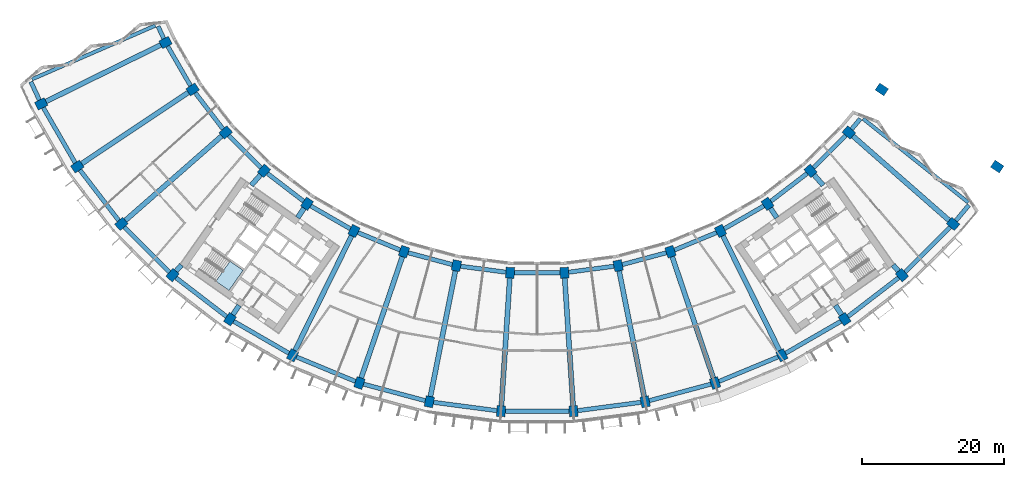
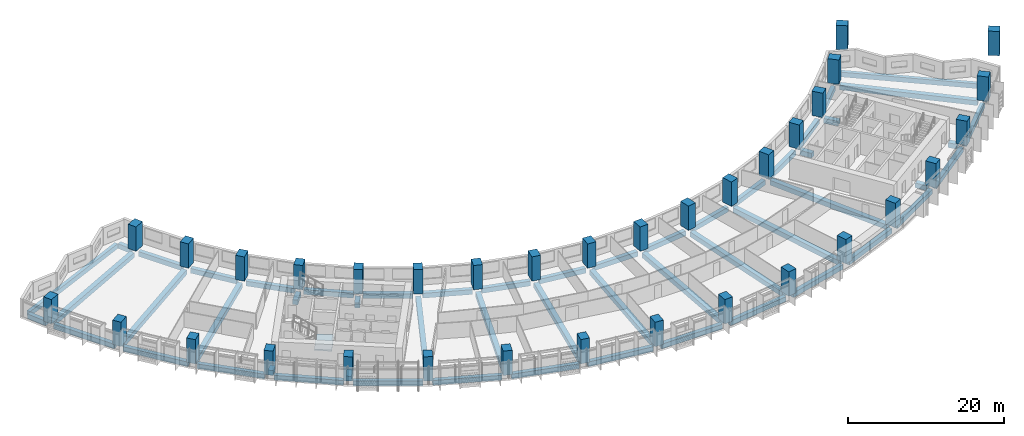
# One storey, part 1 of 28: 56 beams, 34 columns, 1 slab, 1 element without a shape of its own.
"""IFC4 building model written with IfcOpenShell, lengths in metres."""

from ifc_helpers import new_model, si_unit, direction, frame, origin, origin_2d, place, context, subcontext, project, spatial, polyline, rectangle, outline, extrude, material, layer, layer_set, material_profile, profile_set, type_object, element, aggregate, save


model = new_model("IFC4")

# Units and contexts
model_context = context("Model", 3, precision=1e-05, world=origin(), true_north=direction((0.0, 1.0)))
body_context = subcontext(model_context, "Body", "Model", "MODEL_VIEW")
ifc_project = project(units=[si_unit("LENGTHUNIT", "METRE"), si_unit("AREAUNIT", "SQUARE_METRE"), si_unit("VOLUMEUNIT", "CUBIC_METRE"), si_unit("PLANEANGLEUNIT", "RADIAN"), si_unit("MASSUNIT", "GRAM", prefix="KILO")], contexts=[model_context])

# Site, building, storey
site_placement = place(None, origin())
site = spatial("IfcSite", under=ifc_project, at=site_placement, CompositionType="ELEMENT")
building_placement = place(site_placement, origin())
building = spatial("IfcBuilding", under=site, at=building_placement, Name="Qamariyya Broadcast Tower", CompositionType="ELEMENT")
storey_placement = place(building_placement, frame((0.0, 0.0, 140.5)))
storey = spatial("IfcBuildingStorey", under=building, at=storey_placement, Name="L32", CompositionType="ELEMENT", Elevation=140.5)

# Columns
ifc_material_1 = material(Name="Concrete C70/85", Category="concrete")
ifc_material_profile_1 = material_profile(ifc_material_1, rectangle(XDim=1.199951171875, YDim=1.5, at=origin_2d()))
ifc_profile_set_1 = profile_set([ifc_material_profile_1], Name="Concrete C70/85")
column_type = type_object("IfcColumnType", Name="RC column 1200 x 1500 C70/85", PredefinedType="COLUMN", material=ifc_profile_set_1)
for number, where, z_axis, x_axis, name in (
    (1, (-52.242919921875, -25.763427734375, 0.0), (0.0, 0.0, 1.0), (0.442288690219, -0.896872741533, 0.0), "Column C7 L32 B-R02"),
    (2, (-69.73193359375, -34.387939453125, 0.0), (0.0, 0.0, 1.0), (0.442288690219, -0.896872741533, 0.0), "Column C7 L32 C-R02"),
    (3, (-48.43310546875, -32.362060546875, 0.0), (0.0, 0.0, 1.0), (0.55557023302, -0.831469612303, 0.0), "Column C7 L32 B-R03"),
    (4, (-64.646728515625, -43.195556640625, 0.0), (0.0, 0.0, 1.0), (0.55557023302, -0.831469612303, 0.0), "Column C7 L32 C-R03"),
    (5, (-43.794677734375, -38.406982421875, 0.0), (0.0, 0.0, 1.0), (0.6593458151, -0.751839807479, 0.0), "Column C7 L32 B-R04"),
    (6, (-58.45556640625, -51.26416015625, 0.0), (0.0, 0.0, 1.0), (0.6593458151, -0.751839807479, 0.0), "Column C7 L32 C-R04"),
    (7, (-38.406982421875, -43.794677734375, 0.0), (0.0, 0.0, 1.0), (0.751839807479, -0.6593458151, 0.0), "Column C7 L32 B-R05"),
    (8, (-51.26416015625, -58.45556640625, 0.0), (0.0, 0.0, 1.0), (0.751839807479, -0.6593458151, 0.0), "Column C7 L32 C-R05"),
    (9, (-32.362060546875, -48.43310546875, 0.0), (0.0, 0.0, 1.0), (0.831469612303, -0.55557023302, 0.0), "Column C7 L32 B-R06"),
    (10, (-43.195556640625, -64.646728515625, 0.0), (0.0, 0.0, 1.0), (0.831469612303, -0.55557023302, 0.0), "Column C7 L32 C-R06"),
    (11, (-25.763427734375, -52.242919921875, 0.0), (0.0, 0.0, 1.0), (0.896872741533, -0.442288690219, 0.0), "Column C7 L32 B-R07"),
    (12, (-34.387939453125, -69.73193359375, 0.0), (0.0, 0.0, 1.0), (0.896872741533, -0.442288690219, 0.0), "Column C7 L32 C-R07"),
    (13, (-18.723876953125, -55.15869140625, 0.0), (0.0, 0.0, 1.0), (0.946930129495, -0.321439465303, 0.0), "Column C7 L32 B-R08"),
    (14, (-24.991943359375, -73.623779296875, 0.0), (0.0, 0.0, 1.0), (0.946930129495, -0.321439465303, 0.0), "Column C7 L32 C-R08"),
    (15, (-11.364013671875, -57.130859375, 0.0), (0.0, 0.0, 1.0), (0.980785280403, -0.195090322016, 0.0), "Column C7 L32 B-R09"),
    (16, (-15.168212890625, -76.256103515625, 0.0), (0.0, 0.0, 1.0), (0.980785280403, -0.195090322016, 0.0), "Column C7 L32 C-R09"),
    (17, (-3.809814453125, -58.125244140625, 0.0), (0.0, 0.0, 1.0), (0.997858923239, -0.06540312923, 0.0), "Column C7 L32 B-R10"),
    (18, (-5.085205078125, -77.58349609375, 0.0), (0.0, 0.0, 1.0), (0.997858923239, -0.06540312923, 0.0), "Column C7 L32 C-R10"),
    (19, (3.809814453125, -58.125244140625, 0.0), (0.0, 0.0, 1.0), (0.997858923239, 0.06540312923, 0.0), "Column C7 L32 B-R11"),
    (20, (5.085205078125, -77.58349609375, 0.0), (0.0, 0.0, 1.0), (0.997858923239, 0.06540312923, 0.0), "Column C7 L32 C-R11"),
    (21, (11.364013671875, -57.130859375, 0.0), (0.0, 0.0, 1.0), (0.980785280403, 0.195090322016, 0.0), "Column C7 L32 B-R12"),
    (22, (15.168212890625, -76.256103515625, 0.0), (0.0, 0.0, 1.0), (0.980785280403, 0.195090322016, 0.0), "Column C7 L32 C-R12"),
    (23, (18.723876953125, -55.15869140625, 0.0), (0.0, 0.0, 1.0), (0.946930129495, 0.321439465303, 0.0), "Column C7 L32 B-R13"),
    (24, (24.991943359375, -73.623779296875, 0.0), (0.0, 0.0, 1.0), (0.946930129495, 0.321439465303, 0.0), "Column C7 L32 C-R13"),
    (25, (25.763427734375, -52.242919921875, 0.0), (0.0, 0.0, 1.0), (0.896872741533, 0.442288690219, 0.0), "Column C7 L32 B-R14"),
    (26, (34.387939453125, -69.73193359375, 0.0), (0.0, 0.0, 1.0), (0.896872741533, 0.442288690219, 0.0), "Column C7 L32 C-R14"),
    (27, (32.362060546875, -48.43310546875, 0.0), (0.0, 0.0, 1.0), (0.831469612303, 0.55557023302, 0.0), "Column C7 L32 B-R15"),
    (28, (43.195556640625, -64.646728515625, 0.0), (0.0, 0.0, 1.0), (0.831469612303, 0.55557023302, 0.0), "Column C7 L32 C-R15"),
    (29, (38.406982421875, -43.794677734375, 0.0), (0.0, 0.0, 1.0), (0.751839807479, 0.6593458151, 0.0), "Column C7 L32 B-R16"),
    (30, (51.26416015625, -58.45556640625, 0.0), (0.0, 0.0, 1.0), (0.751839807479, 0.6593458151, 0.0), "Column C7 L32 C-R16"),
    (31, (43.794677734375, -38.406982421875, 0.0), (0.0, 0.0, 1.0), (0.6593458151, 0.751839807479, 0.0), "Column C7 L32 B-R17"),
    (32, (58.45556640625, -51.26416015625, 0.0), (0.0, 0.0, 1.0), (0.6593458151, 0.751839807479, 0.0), "Column C7 L32 C-R17"),
    (33, (48.43310546875, -32.362060546875, 0.0), (0.0, 0.0, 1.0), (0.55557023302, 0.831469612303, 0.0), "Column C7 L32 B-R18"),
    (34, (64.646728515625, -43.195556640625, 0.0), (0.0, 0.0, 1.0), (0.55557023302, 0.831469612303, 0.0), "Column C7 L32 C-R18"),
):
    element("IfcColumn", number, at=place(storey_placement, frame(where, z_axis=z_axis, x_axis=x_axis)), inside=storey, type_object=column_type, Name=name, PredefinedType="COLUMN", context=body_context, shape_type="SweptSolid", body=[
        extrude(rectangle(XDim=1.199951171875, YDim=1.5, at=origin_2d()), origin(), (0.0, 0.0, 1.0), 3.800048828125),
    ])

# Beams
ifc_material_2 = material(Name="Concrete C50/60", Category="concrete")
ifc_material_profile_2 = material_profile(ifc_material_2, rectangle(XDim=0.60009765625, YDim=0.75, at=origin_2d()))
ifc_profile_set_2 = profile_set([ifc_material_profile_2], Name="Concrete C50/60")
beam_type_1 = type_object("IfcBeamType", Name="RC edge beam 600 x 750 C50/60", PredefinedType="SPANDREL", material=ifc_profile_set_2)
for number, where, z_axis, x_axis, name in (
    (35, (-51.942138671875, -26.283935546875, -0.675048828125), (0.49999360328, -0.866029096901, 0.0), (0.866029096901, 0.49999360328, 0.0), "Edge beam B15 L32 B R02-R03"),
    (36, (-48.067138671875, -32.839111328125, -0.675048828125), (0.608778135192, -0.793340520906, 0.0), (0.793340520906, 0.608778135192, 0.0), "Edge beam B15 L32 B R03-R04"),
):
    element("IfcBeam", number, at=place(storey_placement, frame(where, z_axis=z_axis, x_axis=x_axis)), inside=storey, type_object=beam_type_1, Name=name, PredefinedType="SPANDREL", context=body_context, shape_type="SweptSolid", body=[
        extrude(rectangle(XDim=0.60009765625, YDim=0.75, at=origin_2d()), origin(), (0.0, 0.0, 1.0), 6.4169921875),
    ])
beam_1_placement = place(storey_placement, frame((-43.369384765625, -38.83203125, -0.675048828125), z_axis=(0.707106781187, -0.707106781187, 0.0), x_axis=(0.707106781187, 0.707106781187, 0.0)))
element("IfcBeam", 37, at=beam_1_placement, inside=storey, type_object=beam_type_1, Name="Edge beam B15 L32 B R04-R05", PredefinedType="SPANDREL", context=body_context, shape_type="SweptSolid", body=[
    extrude(rectangle(XDim=0.60009765625, YDim=0.75, at=origin_2d()), origin(), (0.0, 0.0, 1.0), 6.416748046875),
])
for number, where, z_axis, x_axis, name in (
    (38, (-37.929931640625, -44.16064453125, -0.675048828125), (0.793340520906, -0.608778135192, 0.0), (0.608778135192, 0.793340520906, 0.0), "Edge beam B15 L32 B R05-R06"),
    (39, (-31.84130859375, -48.733642578125, -0.675048828125), (0.866029096901, -0.49999360328, 0.0), (0.49999360328, 0.866029096901, 0.0), "Edge beam B15 L32 B R06-R07"),
    (40, (-25.207763671875, -52.472900390625, -0.675048828125), (0.923884212686, -0.382672133229, 0.0), (0.382672133229, 0.923884212686, 0.0), "Edge beam B15 L32 B R07-R08"),
    (41, (-18.14306640625, -55.314208984375, -0.675048828125), (0.965922916603, -0.258829903956, 0.0), (0.258829903956, 0.965922916603, 0.0), "Edge beam B15 L32 B R08-R09"),
    (42, (-10.767822265625, -57.209228515625, -0.675048828125), (0.991443543958, -0.1305361986, 0.0), (0.1305361986, 0.991443543958, 0.0), "Edge beam B15 L32 B R09-R10"),
    (43, (-3.20849609375, -58.125244140625, -0.675048828125), (1.0, 0.0, 0.0), (0.0, 1.0, 0.0), "Edge beam B15 L32 B R10-R11"),
    (44, (4.40576171875, -58.046875, -0.675048828125), (0.991443543958, 0.1305361986, 0.0), (-0.1305361986, 0.991443543958, 0.0), "Edge beam B15 L32 B R11-R12"),
    (45, (11.94482421875, -56.97509765625, -0.675048828125), (0.965922916603, 0.258829903956, 0.0), (-0.258829903956, 0.965922916603, 0.0), "Edge beam B15 L32 B R12-R13"),
    (46, (19.279296875, -54.928466796875, -0.675048828125), (0.923884212686, 0.382672133229, 0.0), (-0.382672133229, 0.923884212686, 0.0), "Edge beam B15 L32 B R13-R14"),
    (47, (26.283935546875, -51.942138671875, -0.675048828125), (0.866029096901, 0.49999360328, 0.0), (-0.49999360328, 0.866029096901, 0.0), "Edge beam B15 L32 B R14-R15"),
    (48, (32.839111328125, -48.067138671875, -0.675048828125), (0.793340520906, 0.608778135192, 0.0), (-0.608778135192, 0.793340520906, 0.0), "Edge beam B15 L32 B R15-R16"),
):
    element("IfcBeam", number, at=place(storey_placement, frame(where, z_axis=z_axis, x_axis=x_axis)), inside=storey, type_object=beam_type_1, Name=name, PredefinedType="SPANDREL", context=body_context, shape_type="SweptSolid", body=[
        extrude(rectangle(XDim=0.60009765625, YDim=0.75, at=origin_2d()), origin(), (0.0, 0.0, 1.0), 6.4169921875),
    ])
beam_2_placement = place(storey_placement, frame((38.83203125, -43.369384765625, -0.675048828125), z_axis=(0.707106781187, 0.707106781187, 0.0), x_axis=(-0.707106781187, 0.707106781187, 0.0)))
element("IfcBeam", 49, at=beam_2_placement, inside=storey, type_object=beam_type_1, Name="Edge beam B15 L32 B R16-R17", PredefinedType="SPANDREL", context=body_context, shape_type="SweptSolid", body=[
    extrude(rectangle(XDim=0.60009765625, YDim=0.75, at=origin_2d()), origin(), (0.0, 0.0, 1.0), 6.416748046875),
])
beam_3_placement = place(storey_placement, frame((-69.43115234375, -34.90869140625, -0.675048828125), z_axis=(0.499989544228, -0.866031440343, 0.0), x_axis=(0.866031440343, 0.499989544228, 0.0)))
element("IfcBeam", 50, at=beam_3_placement, inside=storey, type_object=beam_type_1, Name="Edge beam B15 L32 C R02-R03", PredefinedType="SPANDREL", context=body_context, shape_type="SweptSolid", body=[
    extrude(rectangle(XDim=0.60009765625, YDim=0.75, at=origin_2d()), origin(), (0.0, 0.0, 1.0), 8.967529296875),
])
beam_4_placement = place(storey_placement, frame((-64.28076171875, -43.672607421875, -0.675048828125), z_axis=(0.608766985019, -0.793349076984, 0.0), x_axis=(0.793349076984, 0.608766985019, 0.0)))
element("IfcBeam", 51, at=beam_4_placement, inside=storey, type_object=beam_type_1, Name="Edge beam B15 L32 C R03-R04", PredefinedType="SPANDREL", context=body_context, shape_type="SweptSolid", body=[
    extrude(rectangle(XDim=0.60009765625, YDim=0.75, at=origin_2d()), origin(), (0.0, 0.0, 1.0), 8.9677734375),
])
beam_5_placement = place(storey_placement, frame((-58.0302734375, -51.689208984375, -0.675048828125), z_axis=(0.707106781187, -0.707106781187, 0.0), x_axis=(0.707106781187, 0.707106781187, 0.0)))
element("IfcBeam", 52, at=beam_5_placement, inside=storey, type_object=beam_type_1, Name="Edge beam B15 L32 C R04-R05", PredefinedType="SPANDREL", context=body_context, shape_type="SweptSolid", body=[
    extrude(rectangle(XDim=0.60009765625, YDim=0.75, at=origin_2d()), origin(), (0.0, 0.0, 1.0), 8.967529296875),
])
beam_6_placement = place(storey_placement, frame((-50.787109375, -58.821533203125, -0.675048828125), z_axis=(0.793349076984, -0.608766985019, 0.0), x_axis=(0.608766985019, 0.793349076984, 0.0)))
element("IfcBeam", 53, at=beam_6_placement, inside=storey, type_object=beam_type_1, Name="Edge beam B15 L32 C R05-R06", PredefinedType="SPANDREL", context=body_context, shape_type="SweptSolid", body=[
    extrude(rectangle(XDim=0.60009765625, YDim=0.75, at=origin_2d()), origin(), (0.0, 0.0, 1.0), 8.9677734375),
])
beam_7_placement = place(storey_placement, frame((-42.6748046875, -64.947509765625, -0.675048828125), z_axis=(0.866031440343, -0.499989544228, 0.0), x_axis=(0.499989544228, 0.866031440343, 0.0)))
element("IfcBeam", 54, at=beam_7_placement, inside=storey, type_object=beam_type_1, Name="Edge beam B15 L32 C R06-R07", PredefinedType="SPANDREL", context=body_context, shape_type="SweptSolid", body=[
    extrude(rectangle(XDim=0.60009765625, YDim=0.75, at=origin_2d()), origin(), (0.0, 0.0, 1.0), 8.967529296875),
])
beam_8_placement = place(storey_placement, frame((-33.83251953125, -69.9619140625, -0.675048828125), z_axis=(0.923877140182, -0.382689207907, 0.0), x_axis=(0.382689207907, 0.923877140182, 0.0)))
element("IfcBeam", 55, at=beam_8_placement, inside=storey, type_object=beam_type_1, Name="Edge beam B15 L32 C R07-R08", PredefinedType="SPANDREL", context=body_context, shape_type="SweptSolid", body=[
    extrude(rectangle(XDim=0.60009765625, YDim=0.75, at=origin_2d()), origin(), (0.0, 0.0, 1.0), 8.9677734375),
])
for number, where, z_axis, x_axis, name in (
    (56, (-24.4111328125, -73.779541015625, -0.675048828125), (0.965931525183, -0.258797775603, 0.0), (0.258797775603, 0.965931525183, 0.0), "Edge beam B15 L32 C R08-R09"),
    (57, (-14.572021484375, -76.33447265625, -0.675048828125), (0.991442708618, -0.130542542983, 0.0), (0.130542542983, 0.991442708618, 0.0), "Edge beam B15 L32 C R09-R10"),
):
    element("IfcBeam", number, at=place(storey_placement, frame(where, z_axis=z_axis, x_axis=x_axis)), inside=storey, type_object=beam_type_1, Name=name, PredefinedType="SPANDREL", context=body_context, shape_type="SweptSolid", body=[
        extrude(rectangle(XDim=0.60009765625, YDim=0.75, at=origin_2d()), origin(), (0.0, 0.0, 1.0), 8.967529296875),
    ])
beam_9_placement = place(storey_placement, frame((-4.48388671875, -77.58349609375, -0.675048828125), z_axis=(1.0, 0.0, 0.0), x_axis=(0.0, 1.0, 0.0)))
element("IfcBeam", 58, at=beam_9_placement, inside=storey, type_object=beam_type_1, Name="Edge beam B15 L32 C R10-R11", PredefinedType="SPANDREL", context=body_context, shape_type="SweptSolid", body=[
    extrude(rectangle(XDim=0.60009765625, YDim=0.75, at=origin_2d()), origin(), (0.0, 0.0, 1.0), 8.9677734375),
])
for number, where, z_axis, x_axis, name in (
    (59, (5.68115234375, -77.505126953125, -0.675048828125), (0.991442708618, 0.130542542983, 0.0), (-0.130542542983, 0.991442708618, 0.0), "Edge beam B15 L32 C R11-R12"),
    (60, (15.7490234375, -76.100341796875, -0.675048828125), (0.965931525183, 0.258797775603, 0.0), (-0.258797775603, 0.965931525183, 0.0), "Edge beam B15 L32 C R12-R13"),
):
    element("IfcBeam", number, at=place(storey_placement, frame(where, z_axis=z_axis, x_axis=x_axis)), inside=storey, type_object=beam_type_1, Name=name, PredefinedType="SPANDREL", context=body_context, shape_type="SweptSolid", body=[
        extrude(rectangle(XDim=0.60009765625, YDim=0.75, at=origin_2d()), origin(), (0.0, 0.0, 1.0), 8.967529296875),
    ])
beam_10_placement = place(storey_placement, frame((25.54736328125, -73.393798828125, -0.675048828125), z_axis=(0.923877140182, 0.382689207907, 0.0), x_axis=(-0.382689207907, 0.923877140182, 0.0)))
element("IfcBeam", 61, at=beam_10_placement, inside=storey, type_object=beam_type_1, Name="Edge beam B15 L32 C R13-R14", PredefinedType="SPANDREL", context=body_context, shape_type="SweptSolid", body=[
    extrude(rectangle(XDim=0.60009765625, YDim=0.75, at=origin_2d()), origin(), (0.0, 0.0, 1.0), 8.9677734375),
])
beam_11_placement = place(storey_placement, frame((34.90869140625, -69.43115234375, -0.675048828125), z_axis=(0.866031440343, 0.499989544228, 0.0), x_axis=(-0.499989544228, 0.866031440343, 0.0)))
element("IfcBeam", 62, at=beam_11_placement, inside=storey, type_object=beam_type_1, Name="Edge beam B15 L32 C R14-R15", PredefinedType="SPANDREL", context=body_context, shape_type="SweptSolid", body=[
    extrude(rectangle(XDim=0.60009765625, YDim=0.75, at=origin_2d()), origin(), (0.0, 0.0, 1.0), 8.967529296875),
])
beam_12_placement = place(storey_placement, frame((43.672607421875, -64.28076171875, -0.675048828125), z_axis=(0.793349076984, 0.608766985019, 0.0), x_axis=(-0.608766985019, 0.793349076984, 0.0)))
element("IfcBeam", 63, at=beam_12_placement, inside=storey, type_object=beam_type_1, Name="Edge beam B15 L32 C R15-R16", PredefinedType="SPANDREL", context=body_context, shape_type="SweptSolid", body=[
    extrude(rectangle(XDim=0.60009765625, YDim=0.75, at=origin_2d()), origin(), (0.0, 0.0, 1.0), 8.9677734375),
])
beam_13_placement = place(storey_placement, frame((51.689208984375, -58.0302734375, -0.675048828125), z_axis=(0.707106781187, 0.707106781187, 0.0), x_axis=(-0.707106781187, 0.707106781187, 0.0)))
element("IfcBeam", 64, at=beam_13_placement, inside=storey, type_object=beam_type_1, Name="Edge beam B15 L32 C R16-R17", PredefinedType="SPANDREL", context=body_context, shape_type="SweptSolid", body=[
    extrude(rectangle(XDim=0.60009765625, YDim=0.75, at=origin_2d()), origin(), (0.0, 0.0, 1.0), 8.967529296875),
])
ifc_material_profile_3 = material_profile(ifc_material_2, rectangle(XDim=0.60009765625, YDim=0.75, at=origin_2d()))
ifc_profile_set_3 = profile_set([ifc_material_profile_3], Name="Concrete C50/60")
beam_type_2 = type_object("IfcBeamType", Name="RC horn beam 600 x 750 C50/60", PredefinedType="BEAM", material=ifc_profile_set_3)
beam_14_placement = place(storey_placement, frame((-52.495361328125, -25.218994140625, -0.675048828125), z_axis=(-0.42096870394, 0.907075162433, 0.0), x_axis=(-0.907075162433, -0.42096870394, 0.0)))
element("IfcBeam", 65, at=beam_14_placement, inside=storey, type_object=beam_type_2, Name="Horn beam B14 L32 W B-R02", PredefinedType="BEAM", context=body_context, shape_type="SweptSolid", body=[
    extrude(rectangle(XDim=0.60009765625, YDim=0.75, at=origin_2d()), origin(), (0.0, 0.0, 1.0), 1.91162109375),
])
beam_15_placement = place(storey_placement, frame((-69.984375, -33.843505859375, -0.675048828125), z_axis=(-0.420957015308, 0.907080586973, 0.0), x_axis=(-0.907080586973, -0.420957015308, 0.0)))
element("IfcBeam", 66, at=beam_15_placement, inside=storey, type_object=beam_type_2, Name="Horn beam B14 L32 W C-R02", PredefinedType="BEAM", context=body_context, shape_type="SweptSolid", body=[
    extrude(rectangle(XDim=0.60009765625, YDim=0.75, at=origin_2d()), origin(), (0.0, 0.0, 1.0), 2.8359375),
])
beam_16_placement = place(storey_placement, frame((44.1796875, -37.9462890625, -0.675048828125), z_axis=(0.641326969369, 0.767267696674, 0.0), x_axis=(-0.767267696674, 0.641326969369, 0.0)))
element("IfcBeam", 67, at=beam_16_placement, inside=storey, type_object=beam_type_2, Name="Horn beam B14 L32 E B-R17", PredefinedType="BEAM", context=body_context, shape_type="SweptSolid", body=[
    extrude(rectangle(XDim=0.60009765625, YDim=0.75, at=origin_2d()), origin(), (0.0, 0.0, 1.0), 1.911376953125),
])
beam_17_placement = place(storey_placement, frame((58.840576171875, -50.8037109375, -0.675048828125), z_axis=(0.641276093409, 0.767310218896, 0.0), x_axis=(-0.767310218896, 0.641276093409, 0.0)))
element("IfcBeam", 68, at=beam_17_placement, inside=storey, type_object=beam_type_2, Name="Horn beam B14 L32 E C-R17", PredefinedType="BEAM", context=body_context, shape_type="SweptSolid", body=[
    extrude(rectangle(XDim=0.60009765625, YDim=0.75, at=origin_2d()), origin(), (0.0, 0.0, 1.0), 2.8359375),
])
ifc_material_profile_4 = material_profile(ifc_material_2, rectangle(XDim=0.5, YDim=0.75, at=origin_2d()))
ifc_profile_set_4 = profile_set([ifc_material_profile_4], Name="Concrete C50/60")
beam_type_3 = type_object("IfcBeamType", Name="RC horn cap beam 500 x 750 C50/60", PredefinedType="BEAM", material=ifc_profile_set_4)
beam_18_placement = place(storey_placement, frame((-53.68017578125, -23.3779296875, -0.675048828125), z_axis=(-0.916824883929, -0.399289534309, 0.0), x_axis=(0.399289534309, -0.916824883929, 0.0)))
element("IfcBeam", 69, at=beam_18_placement, inside=storey, type_object=beam_type_3, Name="Horn cap beam B17 L32 W B-C", PredefinedType="BEAM", context=body_context, shape_type="SweptSolid", body=[
    extrude(rectangle(XDim=0.5, YDim=0.75, at=origin_2d()), origin(), (0.0, 0.0, 1.0), 18.900146484375),
])
beam_19_placement = place(storey_placement, frame((45.800537109375, -36.474853515625, -0.675048828125), z_axis=(0.782244356527, -0.622971722216, 0.0), x_axis=(0.622971722216, 0.782244356527, 0.0)))
element("IfcBeam", 70, at=beam_19_placement, inside=storey, type_object=beam_type_3, Name="Horn cap beam B17 L32 E B-C", PredefinedType="BEAM", context=body_context, shape_type="SweptSolid", body=[
    extrude(rectangle(XDim=0.5, YDim=0.75, at=origin_2d()), origin(), (0.0, 0.0, 1.0), 18.89990234375),
])
ifc_material_profile_5 = material_profile(ifc_material_2, rectangle(XDim=0.699951171875, YDim=0.75, at=origin_2d()))
ifc_profile_set_5 = profile_set([ifc_material_profile_5], Name="Concrete C50/60")
beam_type_4 = type_object("IfcBeamType", Name="RC radial beam 700 x 750 C50/60", PredefinedType="BEAM", material=ifc_profile_set_5)
beam_20_placement = place(storey_placement, frame((-52.91552734375, -26.094970703125, -0.675048828125), z_axis=(-0.896871386501, -0.442291437941, 0.0), x_axis=(0.442291437941, -0.896871386501, 0.0)))
element("IfcBeam", 71, at=beam_20_placement, inside=storey, type_object=beam_type_4, Name="Radial beam B13 L32 R02 B-C", PredefinedType="BEAM", context=body_context, shape_type="SweptSolid", body=[
    extrude(rectangle(XDim=0.699951171875, YDim=0.75, at=origin_2d()), origin(), (0.0, 0.0, 1.0), 17.999755859375),
])
beam_21_placement = place(storey_placement, frame((-49.056640625, -32.778564453125, -0.675048828125), z_axis=(-0.831471836778, -0.555566903843, 0.0), x_axis=(0.555566903843, -0.831471836778, 0.0)))
element("IfcBeam", 72, at=beam_21_placement, inside=storey, type_object=beam_type_4, Name="Radial beam B13 L32 R03 B-C", PredefinedType="BEAM", context=body_context, shape_type="SweptSolid", body=[
    extrude(rectangle(XDim=0.699951171875, YDim=0.75, at=origin_2d()), origin(), (0.0, 0.0, 1.0), 18.0),
])
beam_22_placement = place(storey_placement, frame((-44.358642578125, -38.9013671875, -0.675048828125), z_axis=(-0.751837671483, -0.659348250729, 0.0), x_axis=(0.659348250729, -0.751837671483, 0.0)))
element("IfcBeam", 73, at=beam_22_placement, inside=storey, type_object=beam_type_4, Name="Radial beam B13 L32 R04 B-C", PredefinedType="BEAM", context=body_context, shape_type="SweptSolid", body=[
    extrude(rectangle(XDim=0.699951171875, YDim=0.75, at=origin_2d()), origin(), (0.0, 0.0, 1.0), 17.999755859375),
])
beam_23_placement = place(storey_placement, frame((-38.9013671875, -44.358642578125, -0.675048828125), z_axis=(-0.659376140982, -0.751813211312, 0.0), x_axis=(0.751813211312, -0.659376140982, 0.0)))
element("IfcBeam", 74, at=beam_23_placement, inside=storey, type_object=beam_type_4, Name="Radial beam B13 L32 R05 B-C", PredefinedType="BEAM", context=body_context, shape_type="SweptSolid", body=[
    extrude(rectangle(XDim=0.699951171875, YDim=0.75, at=origin_2d()), origin(), (0.0, 0.0, 1.0), 1.96240234375),
])
beam_24_placement = place(storey_placement, frame((-50.011962890625, -57.027587890625, -0.675048828125), z_axis=(-0.659271387296, -0.751905072395, 0.0), x_axis=(0.751905072395, -0.659271387296, 0.0)))
element("IfcBeam", 75, at=beam_24_placement, inside=storey, type_object=beam_type_4, Name="Radial beam B13 L32 R05 B-C", PredefinedType="BEAM", context=body_context, shape_type="SweptSolid", body=[
    extrude(rectangle(XDim=0.699951171875, YDim=0.75, at=origin_2d()), origin(), (0.0, 0.0, 1.0), 1.149169921875),
])
beam_25_placement = place(storey_placement, frame((-32.778564453125, -49.056640625, -0.675048828125), z_axis=(-0.555537373717, -0.831491567248, 0.0), x_axis=(0.831491567248, -0.555537373717, 0.0)))
element("IfcBeam", 76, at=beam_25_placement, inside=storey, type_object=beam_type_4, Name="Radial beam B13 L32 R06 B-C", PredefinedType="BEAM", context=body_context, shape_type="SweptSolid", body=[
    extrude(rectangle(XDim=0.699951171875, YDim=0.75, at=origin_2d()), origin(), (0.0, 0.0, 1.0), 1.614501953125),
])
beam_26_placement = place(storey_placement, frame((-41.89990234375, -62.707763671875, -0.675048828125), z_axis=(-0.555554602959, -0.831480055762, 0.0), x_axis=(0.831480055762, -0.555554602959, 0.0)))
element("IfcBeam", 77, at=beam_26_placement, inside=storey, type_object=beam_type_4, Name="Radial beam B13 L32 R06 B-C", PredefinedType="BEAM", context=body_context, shape_type="SweptSolid", body=[
    extrude(rectangle(XDim=0.699951171875, YDim=0.75, at=origin_2d()), origin(), (0.0, 0.0, 1.0), 1.58203125),
])
beam_27_placement = place(storey_placement, frame((-26.094970703125, -52.91552734375, -0.675048828125), z_axis=(-0.442291437941, -0.896871386501, 0.0), x_axis=(0.896871386501, -0.442291437941, 0.0)))
element("IfcBeam", 78, at=beam_27_placement, inside=storey, type_object=beam_type_4, Name="Radial beam B13 L32 R07 B-C", PredefinedType="BEAM", context=body_context, shape_type="SweptSolid", body=[
    extrude(rectangle(XDim=0.699951171875, YDim=0.75, at=origin_2d()), origin(), (0.0, 0.0, 1.0), 17.999755859375),
])
beam_28_placement = place(storey_placement, frame((-18.96484375, -55.868896484375, -0.675048828125), z_axis=(-0.321439476461, -0.946930125707, 0.0), x_axis=(0.946930125707, -0.321439476461, 0.0)))
element("IfcBeam", 79, at=beam_28_placement, inside=storey, type_object=beam_type_4, Name="Radial beam B13 L32 R08 B-C", PredefinedType="BEAM", context=body_context, shape_type="SweptSolid", body=[
    extrude(rectangle(XDim=0.699951171875, YDim=0.75, at=origin_2d()), origin(), (0.0, 0.0, 1.0), 18.0),
])
beam_29_placement = place(storey_placement, frame((-11.51025390625, -57.8662109375, -0.675048828125), z_axis=(-0.195093569287, -0.980784634475, 0.0), x_axis=(0.980784634475, -0.195093569287, 0.0)))
element("IfcBeam", 80, at=beam_29_placement, inside=storey, type_object=beam_type_4, Name="Radial beam B13 L32 R09 B-C", PredefinedType="BEAM", context=body_context, shape_type="SweptSolid", body=[
    extrude(rectangle(XDim=0.699951171875, YDim=0.75, at=origin_2d()), origin(), (0.0, 0.0, 1.0), 18.000244140625),
])
for number, where, z_axis, x_axis, name in (
    (81, (-3.85888671875, -58.873779296875, -0.675048828125), (-0.065402689504, -0.99785895206, 0.0), (0.99785895206, -0.065402689504, 0.0), "Radial beam B13 L32 R10 B-C"),
    (82, (3.85888671875, -58.873779296875, -0.675048828125), (0.065402689504, -0.99785895206, 0.0), (0.99785895206, 0.065402689504, 0.0), "Radial beam B13 L32 R11 B-C"),
):
    element("IfcBeam", number, at=place(storey_placement, frame(where, z_axis=z_axis, x_axis=x_axis)), inside=storey, type_object=beam_type_4, Name=name, PredefinedType="BEAM", context=body_context, shape_type="SweptSolid", body=[
        extrude(rectangle(XDim=0.699951171875, YDim=0.75, at=origin_2d()), origin(), (0.0, 0.0, 1.0), 18.0),
    ])
beam_30_placement = place(storey_placement, frame((11.51025390625, -57.8662109375, -0.675048828125), z_axis=(0.195093569287, -0.980784634475, 0.0), x_axis=(0.980784634475, 0.195093569287, 0.0)))
element("IfcBeam", 83, at=beam_30_placement, inside=storey, type_object=beam_type_4, Name="Radial beam B13 L32 R12 B-C", PredefinedType="BEAM", context=body_context, shape_type="SweptSolid", body=[
    extrude(rectangle(XDim=0.699951171875, YDim=0.75, at=origin_2d()), origin(), (0.0, 0.0, 1.0), 18.000244140625),
])
beam_31_placement = place(storey_placement, frame((18.96484375, -55.868896484375, -0.675048828125), z_axis=(0.321439476461, -0.946930125707, 0.0), x_axis=(0.946930125707, 0.321439476461, 0.0)))
element("IfcBeam", 84, at=beam_31_placement, inside=storey, type_object=beam_type_4, Name="Radial beam B13 L32 R13 B-C", PredefinedType="BEAM", context=body_context, shape_type="SweptSolid", body=[
    extrude(rectangle(XDim=0.699951171875, YDim=0.75, at=origin_2d()), origin(), (0.0, 0.0, 1.0), 18.0),
])
beam_32_placement = place(storey_placement, frame((26.094970703125, -52.91552734375, -0.675048828125), z_axis=(0.442291437941, -0.896871386501, 0.0), x_axis=(0.896871386501, 0.442291437941, 0.0)))
element("IfcBeam", 85, at=beam_32_placement, inside=storey, type_object=beam_type_4, Name="Radial beam B13 L32 R14 B-C", PredefinedType="BEAM", context=body_context, shape_type="SweptSolid", body=[
    extrude(rectangle(XDim=0.699951171875, YDim=0.75, at=origin_2d()), origin(), (0.0, 0.0, 1.0), 17.999755859375),
])
beam_33_placement = place(storey_placement, frame((32.778564453125, -49.056640625, -0.675048828125), z_axis=(0.555537373717, -0.831491567248, 0.0), x_axis=(0.831491567248, 0.555537373717, 0.0)))
element("IfcBeam", 86, at=beam_33_placement, inside=storey, type_object=beam_type_4, Name="Radial beam B13 L32 R15 B-C", PredefinedType="BEAM", context=body_context, shape_type="SweptSolid", body=[
    extrude(rectangle(XDim=0.699951171875, YDim=0.75, at=origin_2d()), origin(), (0.0, 0.0, 1.0), 1.614501953125),
])
beam_34_placement = place(storey_placement, frame((41.89990234375, -62.707763671875, -0.675048828125), z_axis=(0.555554602959, -0.831480055762, 0.0), x_axis=(0.831480055762, 0.555554602959, 0.0)))
element("IfcBeam", 87, at=beam_34_placement, inside=storey, type_object=beam_type_4, Name="Radial beam B13 L32 R15 B-C", PredefinedType="BEAM", context=body_context, shape_type="SweptSolid", body=[
    extrude(rectangle(XDim=0.699951171875, YDim=0.75, at=origin_2d()), origin(), (0.0, 0.0, 1.0), 1.58203125),
])
beam_35_placement = place(storey_placement, frame((38.9013671875, -44.358642578125, -0.675048828125), z_axis=(0.659376140982, -0.751813211312, 0.0), x_axis=(0.751813211312, 0.659376140982, 0.0)))
element("IfcBeam", 88, at=beam_35_placement, inside=storey, type_object=beam_type_4, Name="Radial beam B13 L32 R16 B-C", PredefinedType="BEAM", context=body_context, shape_type="SweptSolid", body=[
    extrude(rectangle(XDim=0.699951171875, YDim=0.75, at=origin_2d()), origin(), (0.0, 0.0, 1.0), 1.96240234375),
])
beam_36_placement = place(storey_placement, frame((50.011962890625, -57.027587890625, -0.675048828125), z_axis=(0.659271387296, -0.751905072395, 0.0), x_axis=(0.751905072395, 0.659271387296, 0.0)))
element("IfcBeam", 89, at=beam_36_placement, inside=storey, type_object=beam_type_4, Name="Radial beam B13 L32 R16 B-C", PredefinedType="BEAM", context=body_context, shape_type="SweptSolid", body=[
    extrude(rectangle(XDim=0.699951171875, YDim=0.75, at=origin_2d()), origin(), (0.0, 0.0, 1.0), 1.149169921875),
])
beam_37_placement = place(storey_placement, frame((44.358642578125, -38.9013671875, -0.675048828125), z_axis=(0.751837671483, -0.659348250729, 0.0), x_axis=(0.659348250729, 0.751837671483, 0.0)))
element("IfcBeam", 90, at=beam_37_placement, inside=storey, type_object=beam_type_4, Name="Radial beam B13 L32 R17 B-C", PredefinedType="BEAM", context=body_context, shape_type="SweptSolid", body=[
    extrude(rectangle(XDim=0.699951171875, YDim=0.75, at=origin_2d()), origin(), (0.0, 0.0, 1.0), 17.999755859375),
])

# Stair, slab
stair_type = type_object("IfcStairType", Name="Exit stair 22 risers of 173 mm", PredefinedType="HALF_TURN_STAIR", material=ifc_material_2)
stair_placement = place(storey_placement, origin())
stair = element("IfcStair", 91, at=stair_placement, inside=storey, type_object=stair_type, Name="L32 Stair W1", PredefinedType="HALF_TURN_STAIR")
ifc_layer = layer(ifc_material_2, 0.199951171875)
ifc_layer_set = layer_set([ifc_layer], Name="Stair landing")
slab_type = type_object("IfcSlabType", Name="Stair landing", PredefinedType="LANDING", material=ifc_layer_set)
slab_placement = place(storey_placement, frame((0.0, 0.0, 1.699951171875)))
slab = element("IfcSlab", 92, at=slab_placement, type_object=slab_type, Name="ST-W1 landing 1", PredefinedType="LANDING", context=body_context, shape_type="SweptSolid", body=[
    extrude(outline(polyline([(-45.169677734375, -59.319580078125), (-43.3271484375, -60.609619140625), (-41.348388671875, -57.783447265625), (-43.19091796875, -56.493408203125), (-45.169677734375, -59.319580078125)])), origin(), (0.0, 0.0, 1.0), 0.199951171875),
])
aggregate(stair, [slab])

save(model, "model.ifc")
